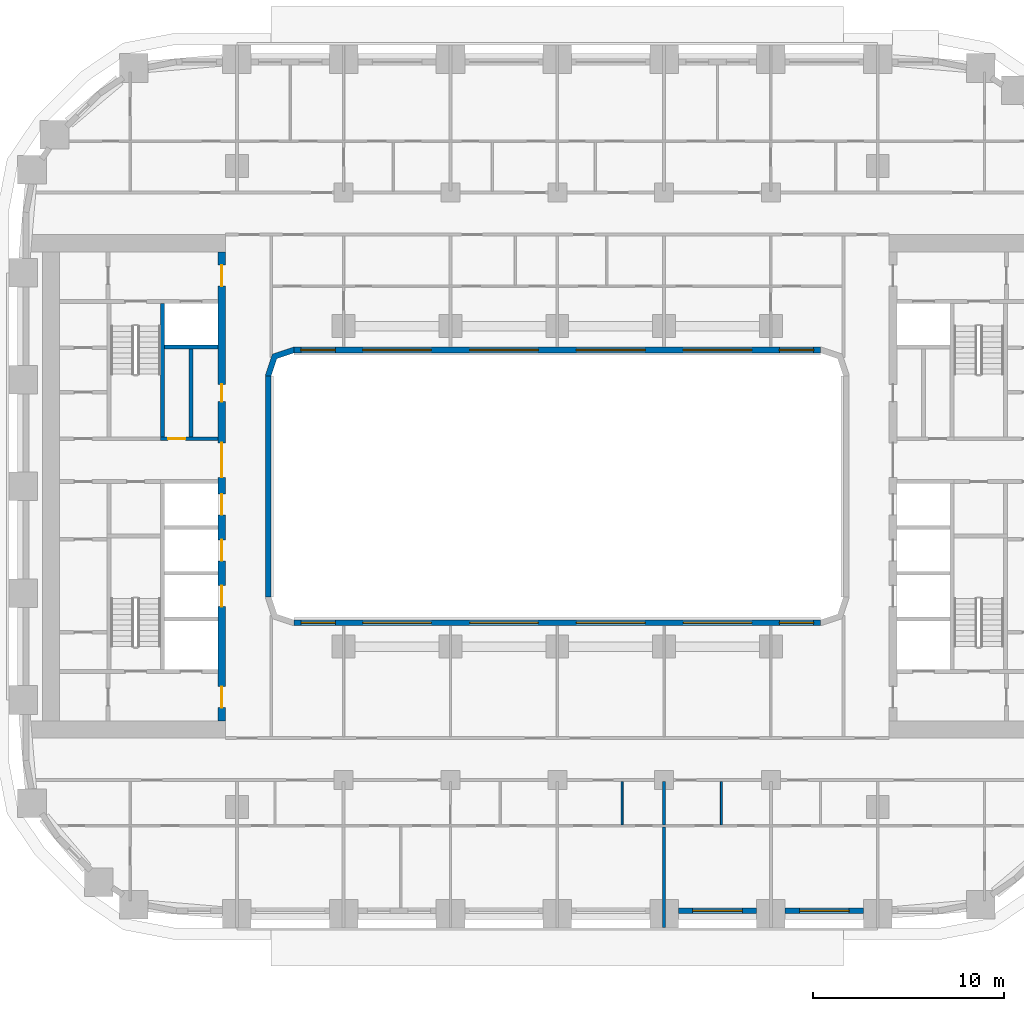
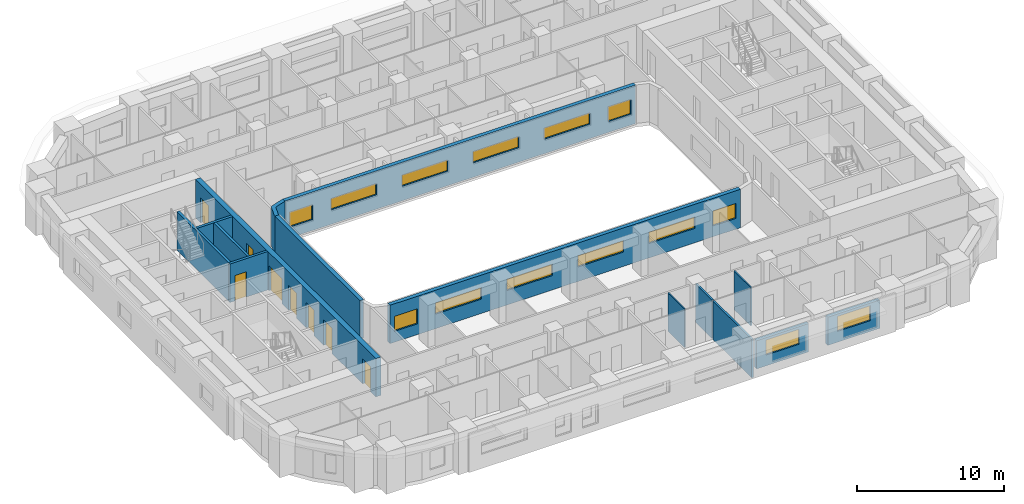
# One storey, part 5 of 21: 15 walls, 14 windows, 8 doors, 22 openings.
"""IFC4 building model written with IfcOpenShell, lengths in metres."""

from ifc_helpers import new_model, si_unit, direction, frame, frame_2d, origin, place, context, subcontext, project, spatial, polyline, rectangle, outline, extrude, material, layer, layer_set, type_object, element, fill, save


model = new_model("IFC4")

# Units and contexts
model_context = context("Model", 3, precision=1e-05, world=origin(), true_north=direction((0.0, 1.0)))
body_context = subcontext(model_context, "Body", "Model", "MODEL_VIEW")
ifc_project = project(units=[si_unit("LENGTHUNIT", "METRE"), si_unit("AREAUNIT", "SQUARE_METRE"), si_unit("VOLUMEUNIT", "CUBIC_METRE"), si_unit("PLANEANGLEUNIT", "RADIAN"), si_unit("MASSUNIT", "GRAM", prefix="KILO")], contexts=[model_context])

# Site, building, storey
site_placement = place(None, origin())
site = spatial("IfcSite", under=ifc_project, at=site_placement, CompositionType="ELEMENT")
building_placement = place(site_placement, origin())
building = spatial("IfcBuilding", under=site, at=building_placement, Name="Kiln Ring Residences", CompositionType="ELEMENT")
storey_placement = place(building_placement, frame((0.0, 0.0, 48.0)))
storey = spatial("IfcBuildingStorey", under=building, at=storey_placement, Name="L11", CompositionType="ELEMENT", Elevation=48.0)

# Wall
ifc_material_1 = material(Name="Gypsum board on steel studs", Category="steel")
ifc_layer_1 = layer(ifc_material_1, 0.199951171875)
ifc_layer_set_1 = layer_set([ifc_layer_1], Name="CORE-PARTITION-200")
wall_type_1 = type_object("IfcWallType", Name="CORE-PARTITION-200", PredefinedType="PARTITIONING", material=ifc_layer_set_1)
wall_1_placement = place(storey_placement, frame((-19.199951171875, 2.60009765625, 0.0), z_axis=(0.0, 0.0, 1.0), x_axis=(0.0, 1.0, 0.0)))
element("IfcWall", 1, at=wall_1_placement, inside=storey, type_object=wall_type_1, Name="Core partition west L11 3", PredefinedType="PARTITIONING", context=body_context, shape_type="SweptSolid", body=[
    extrude(rectangle(XDim=4.599853515625, YDim=0.199951171875, at=frame_2d((2.2998046875, 0.0))), origin(), (0.0, 0.0, 1.0), 3.199951171875),
])

# Wall, opening, door
ifc_material_2 = material(Name="Gypsum shaft wall system")
ifc_layer_2 = layer(ifc_material_2, 0.199951171875)
ifc_layer_set_2 = layer_set([ifc_layer_2], Name="CORE-SHAFT-WALL-200")
wall_type_2 = type_object("IfcWallType", Name="CORE-SHAFT-WALL-200", PredefinedType="PARTITIONING", material=ifc_layer_set_2)
wall_2_placement = place(storey_placement, frame((-17.800048828125, 2.5, 0.0), z_axis=(0.0, 0.0, 1.0), x_axis=(-1.0, 0.0, 0.0)))
wall_2 = element("IfcWall", 2, at=wall_2_placement, inside=storey, type_object=wall_type_2, Name="Core partition west L11 14", PredefinedType="PARTITIONING", context=body_context, shape_type="SweptSolid", body=[
    extrude(rectangle(XDim=3.0, YDim=0.199951171875, at=frame_2d((1.5, 0.0))), origin(), (0.0, 0.0, 1.0), 3.199951171875),
])
opening_1_placement = place(wall_2_placement, frame((1.699951171875, 0.0, 0.0)))
opening_1 = element("IfcOpeningElement", 3, at=opening_1_placement, cuts=wall_2, Name="Opening L11-CW06", PredefinedType="OPENING", context=body_context, shape_type="SweptSolid", body=[
    extrude(rectangle(XDim=0.89990234375, YDim=2.10009765625, at=frame_2d((0.449951171875, 1.050048828125))), frame((0.0, 0.10986328125, 0.0), z_axis=(0.0, -1.0, 0.0), x_axis=(1.0, 0.0, 0.0)), (0.0, 0.0, 1.0), 0.219970703125),
])
ifc_material_3 = material(Name="Steel door leaf", Category="steel")
door_type_1 = type_object("IfcDoorType", Name="CORE-DOOR-ROOM", OperationType="SINGLE_SWING_LEFT", PredefinedType="DOOR", material=ifc_material_3)
door_1_placement = place(opening_1_placement, origin())
door_1 = element("IfcDoor", 4, at=door_1_placement, inside=storey, type_object=door_type_1, Name="Cleaner's store L11-CW06", OperationType="SINGLE_SWING_LEFT", OverallHeight=2.10009765625, OverallWidth=0.89990234375, PredefinedType="DOOR", context=body_context, shape_type="SweptSolid", body=[
    extrude(rectangle(XDim=0.89990234375, YDim=2.10009765625, at=frame_2d((0.449951171875, 1.050048828125))), frame((0.0, 0.02490234375, 0.0), z_axis=(0.0, -1.0, 0.0), x_axis=(1.0, 0.0, 0.0)), (0.0, 0.0, 1.0), 0.050048828125),
])
fill(opening_1, door_1)

# Walls
wall_3_placement = place(storey_placement, frame((-17.800048828125, 7.300048828125, 0.0), z_axis=(0.0, 0.0, 1.0), x_axis=(-1.0, 0.0, 0.0)))
element("IfcWall", 5, at=wall_3_placement, inside=storey, type_object=wall_type_2, Name="Core partition west L11 15", PredefinedType="PARTITIONING", context=body_context, shape_type="SweptSolid", body=[
    extrude(rectangle(XDim=2.800048828125, YDim=0.199951171875, at=frame_2d((1.39990234375, 0.0))), origin(), (0.0, 0.0, 1.0), 3.199951171875),
])
ifc_material_4 = material(Name="Concrete C40/50", Category="concrete")
ifc_layer_3 = layer(ifc_material_4, 0.199951171875)
ifc_layer_set_3 = layer_set([ifc_layer_3], Name="CORE-WALL-RC200")
wall_type_3 = type_object("IfcWallType", Name="CORE-WALL-RC200", PredefinedType="SHEAR", material=ifc_layer_set_3)
wall_4_placement = place(storey_placement, frame((-20.699951171875, 2.60009765625, 0.0), z_axis=(0.0, 0.0, 1.0), x_axis=(0.0, 1.0, 0.0)))
element("IfcWall", 6, at=wall_4_placement, inside=storey, type_object=wall_type_3, Name="Core wall west L11 1", PredefinedType="SHEAR", context=body_context, shape_type="SweptSolid", body=[
    extrude(rectangle(XDim=7.0, YDim=0.199951171875, at=frame_2d((3.5, 0.0))), origin(), (0.0, 0.0, 1.0), 3.199951171875),
])

# Wall, openings, doors
ifc_material_5 = material(Name="Concrete C60/75", Category="concrete")
ifc_layer_4 = layer(ifc_material_5, 0.39990234375)
ifc_layer_set_4 = layer_set([ifc_layer_4], Name="CORE-WALL-RC400")
wall_type_4 = type_object("IfcWallType", Name="CORE-WALL-RC400", PredefinedType="SHEAR", material=ifc_layer_set_4)
wall_5_placement = place(storey_placement, frame((-17.60009765625, -12.300048828125, 0.0), z_axis=(0.0, 0.0, 1.0), x_axis=(0.0, 1.0, 0.0)))
wall_5 = element("IfcWall", 7, at=wall_5_placement, inside=storey, type_object=wall_type_4, Name="Core wall west L11 6", PredefinedType="SHEAR", context=body_context, shape_type="SweptSolid", body=[
    extrude(rectangle(XDim=24.60009765625, YDim=0.39990234375, at=frame_2d((12.300048828125, 0.0))), origin(), (0.0, 0.0, 1.0), 3.199951171875),
])
opening_2_placement = place(wall_5_placement, frame((6.0, 0.0, 0.0)))
opening_2 = element("IfcOpeningElement", 8, at=opening_2_placement, cuts=wall_5, Name="Opening L11-CW02", PredefinedType="OPENING", context=body_context, shape_type="SweptSolid", body=[
    extrude(rectangle(XDim=1.10009765625, YDim=2.10009765625, at=frame_2d((0.550048828125, 1.050048828125))), frame((0.0, 0.2099609375, 0.0), z_axis=(0.0, -1.0, 0.0), x_axis=(1.0, 0.0, 0.0)), (0.0, 0.0, 1.0), 0.419921875),
])
opening_3_placement = place(wall_5_placement, frame((8.39990234375, 0.0, 0.0)))
opening_3 = element("IfcOpeningElement", 9, at=opening_3_placement, cuts=wall_5, Name="Opening L11-CW03", PredefinedType="OPENING", context=body_context, shape_type="SweptSolid", body=[
    extrude(rectangle(XDim=1.10009765625, YDim=2.10009765625, at=frame_2d((0.550048828125, 1.050048828125))), frame((0.0, 0.2099609375, 0.0), z_axis=(0.0, -1.0, 0.0), x_axis=(1.0, 0.0, 0.0)), (0.0, 0.0, 1.0), 0.419921875),
])
opening_4_placement = place(wall_5_placement, frame((10.800048828125, 0.0, 0.0)))
opening_4 = element("IfcOpeningElement", 10, at=opening_4_placement, cuts=wall_5, Name="Opening L11-CW04", PredefinedType="OPENING", context=body_context, shape_type="SweptSolid", body=[
    extrude(rectangle(XDim=1.10009765625, YDim=2.10009765625, at=frame_2d((0.550048828125, 1.050048828125))), frame((0.0, 0.2099609375, 0.0), z_axis=(0.0, -1.0, 0.0), x_axis=(1.0, 0.0, 0.0)), (0.0, 0.0, 1.0), 0.419921875),
])
opening_5_placement = place(wall_5_placement, frame((16.75, 0.0, 0.0)))
opening_5 = element("IfcOpeningElement", 11, at=opening_5_placement, cuts=wall_5, Name="Opening L11-CW05", PredefinedType="OPENING", context=body_context, shape_type="SweptSolid", body=[
    extrude(rectangle(XDim=0.89990234375, YDim=2.10009765625, at=frame_2d((0.449951171875, 1.050048828125))), frame((0.0, 0.2099609375, 0.0), z_axis=(0.0, -1.0, 0.0), x_axis=(1.0, 0.0, 0.0)), (0.0, 0.0, 1.0), 0.419921875),
])
opening_6_placement = place(wall_5_placement, frame((22.800048828125, 0.0, 0.0)))
opening_6 = element("IfcOpeningElement", 12, at=opening_6_placement, cuts=wall_5, Name="Opening L11-CW08", PredefinedType="OPENING", context=body_context, shape_type="SweptSolid", body=[
    extrude(rectangle(XDim=1.10009765625, YDim=2.10009765625, at=frame_2d((0.550048828125, 1.050048828125))), frame((0.0, 0.2099609375, 0.0), z_axis=(0.0, -1.0, 0.0), x_axis=(1.0, 0.0, 0.0)), (0.0, 0.0, 1.0), 0.419921875),
])
opening_7_placement = place(wall_5_placement, frame((0.699951171875, 0.0, 0.0)))
opening_7 = element("IfcOpeningElement", 13, at=opening_7_placement, cuts=wall_5, Name="Opening L11-CW09", PredefinedType="OPENING", context=body_context, shape_type="SweptSolid", body=[
    extrude(rectangle(XDim=1.10009765625, YDim=2.10009765625, at=frame_2d((0.550048828125, 1.050048828125))), frame((0.0, 0.2099609375, 0.0), z_axis=(0.0, -1.0, 0.0), x_axis=(1.0, 0.0, 0.0)), (0.0, 0.0, 1.0), 0.419921875),
])
opening_8_placement = place(wall_5_placement, frame((12.77490234375, 0.0, 0.0)))
opening_8 = element("IfcOpeningElement", 14, at=opening_8_placement, cuts=wall_5, Name="Opening L11-CW14", PredefinedType="OPENING", context=body_context, shape_type="SweptSolid", body=[
    extrude(rectangle(XDim=1.800048828125, YDim=2.10009765625, at=frame_2d((0.89990234375, 1.050048828125))), frame((0.0, 0.2099609375, 0.0), z_axis=(0.0, -1.0, 0.0), x_axis=(1.0, 0.0, 0.0)), (0.0, 0.0, 1.0), 0.419921875),
])
ifc_material_6 = material(Name="Steel door leaf", Category="steel")
door_type_2 = type_object("IfcDoorType", Name="CORE-DOOR-LD", OperationType="DOUBLE_DOOR_SLIDING", PredefinedType="DOOR", material=ifc_material_6)
door_2_placement = place(opening_2_placement, origin())
door_2 = element("IfcDoor", 15, at=door_2_placement, inside=storey, type_object=door_type_2, Name="LD W-L1 L11-CW02", OperationType="DOUBLE_DOOR_SLIDING", OverallHeight=2.10009765625, OverallWidth=1.10009765625, PredefinedType="DOOR", context=body_context, shape_type="SweptSolid", body=[
    extrude(rectangle(XDim=1.10009765625, YDim=2.10009765625, at=frame_2d((0.550048828125, 1.050048828125))), frame((0.0, 0.02490234375, 0.0), z_axis=(0.0, -1.0, 0.0), x_axis=(1.0, 0.0, 0.0)), (0.0, 0.0, 1.0), 0.050048828125),
])
fill(opening_2, door_2)
door_3_placement = place(opening_3_placement, origin())
door_3 = element("IfcDoor", 16, at=door_3_placement, inside=storey, type_object=door_type_2, Name="LD W-L2 L11-CW03", OperationType="DOUBLE_DOOR_SLIDING", OverallHeight=2.10009765625, OverallWidth=1.10009765625, PredefinedType="DOOR", context=body_context, shape_type="SweptSolid", body=[
    extrude(rectangle(XDim=1.10009765625, YDim=2.10009765625, at=frame_2d((0.550048828125, 1.050048828125))), frame((0.0, 0.02490234375, 0.0), z_axis=(0.0, -1.0, 0.0), x_axis=(1.0, 0.0, 0.0)), (0.0, 0.0, 1.0), 0.050048828125),
])
fill(opening_3, door_3)
door_4_placement = place(opening_4_placement, origin())
door_4 = element("IfcDoor", 17, at=door_4_placement, inside=storey, type_object=door_type_2, Name="LD W-L3 L11-CW04", OperationType="DOUBLE_DOOR_SLIDING", OverallHeight=2.10009765625, OverallWidth=1.10009765625, PredefinedType="DOOR", context=body_context, shape_type="SweptSolid", body=[
    extrude(rectangle(XDim=1.10009765625, YDim=2.10009765625, at=frame_2d((0.550048828125, 1.050048828125))), frame((0.0, 0.02490234375, 0.0), z_axis=(0.0, -1.0, 0.0), x_axis=(1.0, 0.0, 0.0)), (0.0, 0.0, 1.0), 0.050048828125),
])
fill(opening_4, door_4)
ifc_material_7 = material(Name="Steel door leaf", Category="steel")
door_type_3 = type_object("IfcDoorType", Name="CORE-DOOR-LOBBY", OperationType="SINGLE_SWING_LEFT", PredefinedType="DOOR", material=ifc_material_7)
door_5_placement = place(opening_6_placement, origin())
door_5 = element("IfcDoor", 18, at=door_5_placement, inside=storey, type_object=door_type_3, Name="FFL L11-CW08", OperationType="SINGLE_SWING_LEFT", OverallHeight=2.10009765625, OverallWidth=1.10009765625, PredefinedType="DOOR", context=body_context, shape_type="SweptSolid", body=[
    extrude(rectangle(XDim=1.10009765625, YDim=2.10009765625, at=frame_2d((0.550048828125, 1.050048828125))), frame((0.0, 0.02490234375, 0.0), z_axis=(0.0, -1.0, 0.0), x_axis=(1.0, 0.0, 0.0)), (0.0, 0.0, 1.0), 0.050048828125),
])
fill(opening_6, door_5)
door_6_placement = place(opening_7_placement, origin())
door_6 = element("IfcDoor", 19, at=door_6_placement, inside=storey, type_object=door_type_3, Name="SVL L11-CW09", OperationType="SINGLE_SWING_RIGHT", OverallHeight=2.10009765625, OverallWidth=1.10009765625, PredefinedType="DOOR", context=body_context, shape_type="SweptSolid", body=[
    extrude(rectangle(XDim=1.10009765625, YDim=2.10009765625, at=frame_2d((0.550048828125, 1.050048828125))), frame((0.0, 0.02490234375, 0.0), z_axis=(0.0, -1.0, 0.0), x_axis=(1.0, 0.0, 0.0)), (0.0, 0.0, 1.0), 0.050048828125),
])
fill(opening_7, door_6)
ifc_material_8 = material(Name="Steel door leaf", Category="steel")
door_type_4 = type_object("IfcDoorType", Name="CORE-DOOR-PASS", OperationType="DOUBLE_DOOR_SINGLE_SWING", PredefinedType="DOOR", material=ifc_material_8)
door_7_placement = place(opening_8_placement, origin())
door_7 = element("IfcDoor", 20, at=door_7_placement, inside=storey, type_object=door_type_4, Name="Core passage L11-CW14", OperationType="DOUBLE_DOOR_SINGLE_SWING", OverallHeight=2.10009765625, OverallWidth=1.800048828125, PredefinedType="DOOR", context=body_context, shape_type="SweptSolid", body=[
    extrude(rectangle(XDim=1.800048828125, YDim=2.10009765625, at=frame_2d((0.89990234375, 1.050048828125))), frame((0.0, 0.02490234375, 0.0), z_axis=(0.0, -1.0, 0.0), x_axis=(1.0, 0.0, 0.0)), (0.0, 0.0, 1.0), 0.050048828125),
])
fill(opening_8, door_7)
door_8_placement = place(opening_5_placement, origin())
door_8 = element("IfcDoor", 21, at=door_8_placement, inside=storey, type_object=door_type_1, Name="Storage room L11-CW05", OperationType="SINGLE_SWING_LEFT", OverallHeight=2.10009765625, OverallWidth=0.89990234375, PredefinedType="DOOR", context=body_context, shape_type="SweptSolid", body=[
    extrude(rectangle(XDim=0.89990234375, YDim=2.10009765625, at=frame_2d((0.449951171875, 1.050048828125))), frame((0.0, 0.02490234375, 0.0), z_axis=(0.0, -1.0, 0.0), x_axis=(1.0, 0.0, 0.0)), (0.0, 0.0, 1.0), 0.050048828125),
])
fill(opening_5, door_8)

# Wall, opening, window
ifc_material_9 = material(Name="Brick masonry, dark clay brick", Category="masonry")
ifc_layer_5 = layer(ifc_material_9, 0.300048828125)
ifc_layer_set_5 = layer_set([ifc_layer_5], Name="EW-300 BRICK WALL")
wall_type_5 = type_object("IfcWallType", Name="EW-300 BRICK WALL", PredefinedType="SOLIDWALL", material=ifc_layer_set_5)
wall_6_placement = place(storey_placement, frame((6.35009765625, -22.25, 0.0), z_axis=(0.0, 0.0, 1.0), x_axis=(1.0, 0.0, 0.0)))
wall_6 = element("IfcWall", 22, at=wall_6_placement, inside=storey, type_object=wall_type_5, Name="Facade wall L11 9", PredefinedType="SOLIDWALL", context=body_context, shape_type="SweptSolid", body=[
    extrude(rectangle(XDim=4.099853515625, YDim=0.300048828125, at=frame_2d((2.0498046875, 0.0))), origin(), (0.0, 0.0, 1.0), 2.35009765625),
])
opening_9_placement = place(wall_6_placement, frame((0.75, 0.0, 0.89990234375)))
opening_9 = element("IfcOpeningElement", 23, at=opening_9_placement, cuts=wall_6, Name="Opening W3", PredefinedType="OPENING", context=body_context, shape_type="SweptSolid", body=[
    extrude(rectangle(XDim=2.60009765625, YDim=1.25, at=frame_2d((1.300048828125, 0.625))), frame((0.0, 0.159912109375, 0.0), z_axis=(0.0, -1.0, 0.0), x_axis=(1.0, 0.0, 0.0)), (0.0, 0.0, 1.0), 0.320068359375),
])
ifc_material_10 = material(Name="Aluminium frame with double glazing", Category="aluminium")
window_type_1 = type_object("IfcWindowType", Name="WINDOW 2600 x 1250", PartitioningType="SINGLE_PANEL", PredefinedType="WINDOW", material=ifc_material_10)
window_1_placement = place(opening_9_placement, origin())
window_1 = element("IfcWindow", 24, at=window_1_placement, inside=storey, type_object=window_type_1, Name="Window L11 8", OverallHeight=1.25, OverallWidth=2.60009765625, PartitioningType="SINGLE_PANEL", PredefinedType="WINDOW", context=body_context, shape_type="SweptSolid", body=[
    extrude(rectangle(XDim=2.60009765625, YDim=1.25, at=frame_2d((1.300048828125, 0.625))), frame((0.0, 0.030029296875, 0.0), z_axis=(0.0, -1.0, 0.0), x_axis=(1.0, 0.0, 0.0)), (0.0, 0.0, 1.0), 0.06005859375),
])
fill(opening_9, window_1)

wall_7_placement = place(storey_placement, frame((11.949951171875, -22.25, 0.0), z_axis=(0.0, 0.0, 1.0), x_axis=(1.0, 0.0, 0.0)))
wall_7 = element("IfcWall", 25, at=wall_7_placement, inside=storey, type_object=wall_type_5, Name="Facade wall L11 10", PredefinedType="SOLIDWALL", context=body_context, shape_type="SweptSolid", body=[
    extrude(rectangle(XDim=4.10009765625, YDim=0.300048828125, at=frame_2d((2.050048828125, 0.0))), origin(), (0.0, 0.0, 1.0), 2.35009765625),
])
opening_10_placement = place(wall_7_placement, frame((0.75, 0.0, 0.89990234375)))
opening_10 = element("IfcOpeningElement", 26, at=opening_10_placement, cuts=wall_7, Name="Opening W3", PredefinedType="OPENING", context=body_context, shape_type="SweptSolid", body=[
    extrude(rectangle(XDim=2.60009765625, YDim=1.25, at=frame_2d((1.300048828125, 0.625))), frame((0.0, 0.159912109375, 0.0), z_axis=(0.0, -1.0, 0.0), x_axis=(1.0, 0.0, 0.0)), (0.0, 0.0, 1.0), 0.320068359375),
])
window_2_placement = place(opening_10_placement, origin())
window_2 = element("IfcWindow", 27, at=window_2_placement, inside=storey, type_object=window_type_1, Name="Window L11 9", OverallHeight=1.25, OverallWidth=2.60009765625, PartitioningType="SINGLE_PANEL", PredefinedType="WINDOW", context=body_context, shape_type="SweptSolid", body=[
    extrude(rectangle(XDim=2.60009765625, YDim=1.25, at=frame_2d((1.300048828125, 0.625))), frame((0.0, 0.030029296875, 0.0), z_axis=(0.0, -1.0, 0.0), x_axis=(1.0, 0.0, 0.0)), (0.0, 0.0, 1.0), 0.06005859375),
])
fill(opening_10, window_2)

# Wall
wall_8_placement = place(storey_placement, frame((-15.14990234375, -5.800048828125, 0.0), z_axis=(0.0, 0.0, 1.0), x_axis=(0.0, 1.0, 0.0)))
element("IfcWall", 28, at=wall_8_placement, inside=storey, type_object=wall_type_5, Name="Facade wall L11 49", PredefinedType="SOLIDWALL", context=body_context, shape_type="SweptSolid", body=[
    extrude(rectangle(XDim=11.60009765625, YDim=0.300048828125, at=frame_2d((5.800048828125, 0.0))), origin(), (0.0, 0.0, 1.0), 3.199951171875),
])

# Wall, openings, windows
wall_9_placement = place(storey_placement, frame((-13.800048828125, 7.14990234375, 0.0), z_axis=(0.0, 0.0, 1.0), x_axis=(1.0, 0.0, 0.0)))
wall_9 = element("IfcWall", 29, at=wall_9_placement, inside=storey, type_object=wall_type_5, Name="Facade wall L11 50", PredefinedType="SOLIDWALL", context=body_context, shape_type="SweptSolid", body=[
    extrude(rectangle(XDim=27.60009765625, YDim=0.300048828125, at=frame_2d((13.800048828125, 0.0))), origin(), (0.0, 0.0, 1.0), 3.199951171875),
])
opening_11_placement = place(wall_9_placement, frame((0.362548828125, 0.0, 0.89990234375)))
opening_11 = element("IfcOpeningElement", 30, at=opening_11_placement, cuts=wall_9, Name="Opening W2", PredefinedType="OPENING", context=body_context, shape_type="SweptSolid", body=[
    extrude(rectangle(XDim=1.800048828125, YDim=1.25, at=frame_2d((0.89990234375, 0.625))), frame((0.0, 0.159912109375, 0.0), z_axis=(0.0, -1.0, 0.0), x_axis=(1.0, 0.0, 0.0)), (0.0, 0.0, 1.0), 0.320068359375),
])
opening_12_placement = place(wall_9_placement, frame((3.60009765625, 0.0, 1.199951171875)))
opening_12 = element("IfcOpeningElement", 31, at=opening_12_placement, cuts=wall_9, Name="Opening W4", PredefinedType="OPENING", context=body_context, shape_type="SweptSolid", body=[
    extrude(rectangle(XDim=3.60009765625, YDim=0.949951171875, at=frame_2d((1.800048828125, 0.47509765625))), frame((0.0, 0.159912109375, 0.0), z_axis=(0.0, -1.0, 0.0), x_axis=(1.0, 0.0, 0.0)), (0.0, 0.0, 1.0), 0.320068359375),
])
opening_13_placement = place(wall_9_placement, frame((9.199951171875, 0.0, 1.199951171875)))
opening_13 = element("IfcOpeningElement", 32, at=opening_13_placement, cuts=wall_9, Name="Opening W4", PredefinedType="OPENING", context=body_context, shape_type="SweptSolid", body=[
    extrude(rectangle(XDim=3.60009765625, YDim=0.949951171875, at=frame_2d((1.800048828125, 0.47509765625))), frame((0.0, 0.159912109375, 0.0), z_axis=(0.0, -1.0, 0.0), x_axis=(1.0, 0.0, 0.0)), (0.0, 0.0, 1.0), 0.320068359375),
])
opening_14_placement = place(wall_9_placement, frame((14.800048828125, 0.0, 1.199951171875)))
opening_14 = element("IfcOpeningElement", 33, at=opening_14_placement, cuts=wall_9, Name="Opening W4", PredefinedType="OPENING", context=body_context, shape_type="SweptSolid", body=[
    extrude(rectangle(XDim=3.60009765625, YDim=0.949951171875, at=frame_2d((1.800048828125, 0.47509765625))), frame((0.0, 0.159912109375, 0.0), z_axis=(0.0, -1.0, 0.0), x_axis=(1.0, 0.0, 0.0)), (0.0, 0.0, 1.0), 0.320068359375),
])
opening_15_placement = place(wall_9_placement, frame((20.39990234375, 0.0, 1.199951171875)))
opening_15 = element("IfcOpeningElement", 34, at=opening_15_placement, cuts=wall_9, Name="Opening W4", PredefinedType="OPENING", context=body_context, shape_type="SweptSolid", body=[
    extrude(rectangle(XDim=3.60009765625, YDim=0.949951171875, at=frame_2d((1.800048828125, 0.47509765625))), frame((0.0, 0.159912109375, 0.0), z_axis=(0.0, -1.0, 0.0), x_axis=(1.0, 0.0, 0.0)), (0.0, 0.0, 1.0), 0.320068359375),
])
opening_16_placement = place(wall_9_placement, frame((25.4375, 0.0, 0.89990234375)))
opening_16 = element("IfcOpeningElement", 35, at=opening_16_placement, cuts=wall_9, Name="Opening W2", PredefinedType="OPENING", context=body_context, shape_type="SweptSolid", body=[
    extrude(rectangle(XDim=1.800048828125, YDim=1.25, at=frame_2d((0.89990234375, 0.625))), frame((0.0, 0.159912109375, 0.0), z_axis=(0.0, -1.0, 0.0), x_axis=(1.0, 0.0, 0.0)), (0.0, 0.0, 1.0), 0.320068359375),
])
ifc_material_11 = material(Name="Aluminium frame with double glazing", Category="aluminium")
window_type_2 = type_object("IfcWindowType", Name="WINDOW 1800 x 1250", PartitioningType="SINGLE_PANEL", PredefinedType="WINDOW", material=ifc_material_11)
window_3_placement = place(opening_11_placement, origin())
window_3 = element("IfcWindow", 36, at=window_3_placement, inside=storey, type_object=window_type_2, Name="Window L11 24", OverallHeight=1.25, OverallWidth=1.800048828125, PartitioningType="SINGLE_PANEL", PredefinedType="WINDOW", context=body_context, shape_type="SweptSolid", body=[
    extrude(rectangle(XDim=1.800048828125, YDim=1.25, at=frame_2d((0.89990234375, 0.625))), frame((0.0, 0.030029296875, 0.0), z_axis=(0.0, -1.0, 0.0), x_axis=(1.0, 0.0, 0.0)), (0.0, 0.0, 1.0), 0.06005859375),
])
fill(opening_11, window_3)
window_4_placement = place(opening_16_placement, origin())
window_4 = element("IfcWindow", 37, at=window_4_placement, inside=storey, type_object=window_type_2, Name="Window L11 29", OverallHeight=1.25, OverallWidth=1.800048828125, PartitioningType="SINGLE_PANEL", PredefinedType="WINDOW", context=body_context, shape_type="SweptSolid", body=[
    extrude(rectangle(XDim=1.800048828125, YDim=1.25, at=frame_2d((0.89990234375, 0.625))), frame((0.0, 0.030029296875, 0.0), z_axis=(0.0, -1.0, 0.0), x_axis=(1.0, 0.0, 0.0)), (0.0, 0.0, 1.0), 0.06005859375),
])
fill(opening_16, window_4)
ifc_material_12 = material(Name="Aluminium frame with double glazing", Category="aluminium")
window_type_3 = type_object("IfcWindowType", Name="WINDOW 3600 x 950", PartitioningType="SINGLE_PANEL", PredefinedType="WINDOW", material=ifc_material_12)
window_5_placement = place(opening_12_placement, origin())
window_5 = element("IfcWindow", 38, at=window_5_placement, inside=storey, type_object=window_type_3, Name="Window L11 25", OverallHeight=0.949951171875, OverallWidth=3.60009765625, PartitioningType="SINGLE_PANEL", PredefinedType="WINDOW", context=body_context, shape_type="SweptSolid", body=[
    extrude(rectangle(XDim=3.60009765625, YDim=0.949951171875, at=frame_2d((1.800048828125, 0.47509765625))), frame((0.0, 0.030029296875, 0.0), z_axis=(0.0, -1.0, 0.0), x_axis=(1.0, 0.0, 0.0)), (0.0, 0.0, 1.0), 0.06005859375),
])
fill(opening_12, window_5)
window_6_placement = place(opening_13_placement, origin())
window_6 = element("IfcWindow", 39, at=window_6_placement, inside=storey, type_object=window_type_3, Name="Window L11 26", OverallHeight=0.949951171875, OverallWidth=3.60009765625, PartitioningType="SINGLE_PANEL", PredefinedType="WINDOW", context=body_context, shape_type="SweptSolid", body=[
    extrude(rectangle(XDim=3.60009765625, YDim=0.949951171875, at=frame_2d((1.800048828125, 0.47509765625))), frame((0.0, 0.030029296875, 0.0), z_axis=(0.0, -1.0, 0.0), x_axis=(1.0, 0.0, 0.0)), (0.0, 0.0, 1.0), 0.06005859375),
])
fill(opening_13, window_6)
window_7_placement = place(opening_14_placement, origin())
window_7 = element("IfcWindow", 40, at=window_7_placement, inside=storey, type_object=window_type_3, Name="Window L11 27", OverallHeight=0.949951171875, OverallWidth=3.60009765625, PartitioningType="SINGLE_PANEL", PredefinedType="WINDOW", context=body_context, shape_type="SweptSolid", body=[
    extrude(rectangle(XDim=3.60009765625, YDim=0.949951171875, at=frame_2d((1.800048828125, 0.47509765625))), frame((0.0, 0.030029296875, 0.0), z_axis=(0.0, -1.0, 0.0), x_axis=(1.0, 0.0, 0.0)), (0.0, 0.0, 1.0), 0.06005859375),
])
fill(opening_14, window_7)
window_8_placement = place(opening_15_placement, origin())
window_8 = element("IfcWindow", 41, at=window_8_placement, inside=storey, type_object=window_type_3, Name="Window L11 28", OverallHeight=0.949951171875, OverallWidth=3.60009765625, PartitioningType="SINGLE_PANEL", PredefinedType="WINDOW", context=body_context, shape_type="SweptSolid", body=[
    extrude(rectangle(XDim=3.60009765625, YDim=0.949951171875, at=frame_2d((1.800048828125, 0.47509765625))), frame((0.0, 0.030029296875, 0.0), z_axis=(0.0, -1.0, 0.0), x_axis=(1.0, 0.0, 0.0)), (0.0, 0.0, 1.0), 0.06005859375),
])
fill(opening_15, window_8)

wall_10_placement = place(storey_placement, frame((13.800048828125, -7.14990234375, 0.0), z_axis=(0.0, 0.0, 1.0), x_axis=(-1.0, 0.0, 0.0)))
wall_10 = element("IfcWall", 42, at=wall_10_placement, inside=storey, type_object=wall_type_5, Name="Facade wall L11 52", PredefinedType="SOLIDWALL", context=body_context, shape_type="SweptSolid", body=[
    extrude(rectangle(XDim=27.60009765625, YDim=0.300048828125, at=frame_2d((13.800048828125, 0.0))), origin(), (0.0, 0.0, 1.0), 3.199951171875),
])
opening_17_placement = place(wall_10_placement, frame((0.362548828125, 0.0, 0.89990234375)))
opening_17 = element("IfcOpeningElement", 43, at=opening_17_placement, cuts=wall_10, Name="Opening W2", PredefinedType="OPENING", context=body_context, shape_type="SweptSolid", body=[
    extrude(rectangle(XDim=1.800048828125, YDim=1.25, at=frame_2d((0.89990234375, 0.625))), frame((0.0, 0.159912109375, 0.0), z_axis=(0.0, -1.0, 0.0), x_axis=(1.0, 0.0, 0.0)), (0.0, 0.0, 1.0), 0.320068359375),
])
opening_18_placement = place(wall_10_placement, frame((3.60009765625, 0.0, 1.199951171875)))
opening_18 = element("IfcOpeningElement", 44, at=opening_18_placement, cuts=wall_10, Name="Opening W4", PredefinedType="OPENING", context=body_context, shape_type="SweptSolid", body=[
    extrude(rectangle(XDim=3.60009765625, YDim=0.949951171875, at=frame_2d((1.800048828125, 0.47509765625))), frame((0.0, 0.159912109375, 0.0), z_axis=(0.0, -1.0, 0.0), x_axis=(1.0, 0.0, 0.0)), (0.0, 0.0, 1.0), 0.320068359375),
])
opening_19_placement = place(wall_10_placement, frame((9.199951171875, 0.0, 1.199951171875)))
opening_19 = element("IfcOpeningElement", 45, at=opening_19_placement, cuts=wall_10, Name="Opening W4", PredefinedType="OPENING", context=body_context, shape_type="SweptSolid", body=[
    extrude(rectangle(XDim=3.60009765625, YDim=0.949951171875, at=frame_2d((1.800048828125, 0.47509765625))), frame((0.0, 0.159912109375, 0.0), z_axis=(0.0, -1.0, 0.0), x_axis=(1.0, 0.0, 0.0)), (0.0, 0.0, 1.0), 0.320068359375),
])
opening_20_placement = place(wall_10_placement, frame((14.800048828125, 0.0, 1.199951171875)))
opening_20 = element("IfcOpeningElement", 46, at=opening_20_placement, cuts=wall_10, Name="Opening W4", PredefinedType="OPENING", context=body_context, shape_type="SweptSolid", body=[
    extrude(rectangle(XDim=3.60009765625, YDim=0.949951171875, at=frame_2d((1.800048828125, 0.47509765625))), frame((0.0, 0.159912109375, 0.0), z_axis=(0.0, -1.0, 0.0), x_axis=(1.0, 0.0, 0.0)), (0.0, 0.0, 1.0), 0.320068359375),
])
opening_21_placement = place(wall_10_placement, frame((20.39990234375, 0.0, 1.199951171875)))
opening_21 = element("IfcOpeningElement", 47, at=opening_21_placement, cuts=wall_10, Name="Opening W4", PredefinedType="OPENING", context=body_context, shape_type="SweptSolid", body=[
    extrude(rectangle(XDim=3.60009765625, YDim=0.949951171875, at=frame_2d((1.800048828125, 0.47509765625))), frame((0.0, 0.159912109375, 0.0), z_axis=(0.0, -1.0, 0.0), x_axis=(1.0, 0.0, 0.0)), (0.0, 0.0, 1.0), 0.320068359375),
])
opening_22_placement = place(wall_10_placement, frame((25.4375, 0.0, 0.89990234375)))
opening_22 = element("IfcOpeningElement", 48, at=opening_22_placement, cuts=wall_10, Name="Opening W2", PredefinedType="OPENING", context=body_context, shape_type="SweptSolid", body=[
    extrude(rectangle(XDim=1.800048828125, YDim=1.25, at=frame_2d((0.89990234375, 0.625))), frame((0.0, 0.159912109375, 0.0), z_axis=(0.0, -1.0, 0.0), x_axis=(1.0, 0.0, 0.0)), (0.0, 0.0, 1.0), 0.320068359375),
])
window_9_placement = place(opening_17_placement, origin())
window_9 = element("IfcWindow", 49, at=window_9_placement, inside=storey, type_object=window_type_2, Name="Window L11 30", OverallHeight=1.25, OverallWidth=1.800048828125, PartitioningType="SINGLE_PANEL", PredefinedType="WINDOW", context=body_context, shape_type="SweptSolid", body=[
    extrude(rectangle(XDim=1.800048828125, YDim=1.25, at=frame_2d((0.89990234375, 0.625))), frame((0.0, 0.030029296875, 0.0), z_axis=(0.0, -1.0, 0.0), x_axis=(1.0, 0.0, 0.0)), (0.0, 0.0, 1.0), 0.06005859375),
])
fill(opening_17, window_9)
window_10_placement = place(opening_22_placement, origin())
window_10 = element("IfcWindow", 50, at=window_10_placement, inside=storey, type_object=window_type_2, Name="Window L11 35", OverallHeight=1.25, OverallWidth=1.800048828125, PartitioningType="SINGLE_PANEL", PredefinedType="WINDOW", context=body_context, shape_type="SweptSolid", body=[
    extrude(rectangle(XDim=1.800048828125, YDim=1.25, at=frame_2d((0.89990234375, 0.625))), frame((0.0, 0.030029296875, 0.0), z_axis=(0.0, -1.0, 0.0), x_axis=(1.0, 0.0, 0.0)), (0.0, 0.0, 1.0), 0.06005859375),
])
fill(opening_22, window_10)
window_11_placement = place(opening_18_placement, origin())
window_11 = element("IfcWindow", 51, at=window_11_placement, inside=storey, type_object=window_type_3, Name="Window L11 31", OverallHeight=0.949951171875, OverallWidth=3.60009765625, PartitioningType="SINGLE_PANEL", PredefinedType="WINDOW", context=body_context, shape_type="SweptSolid", body=[
    extrude(rectangle(XDim=3.60009765625, YDim=0.949951171875, at=frame_2d((1.800048828125, 0.47509765625))), frame((0.0, 0.030029296875, 0.0), z_axis=(0.0, -1.0, 0.0), x_axis=(1.0, 0.0, 0.0)), (0.0, 0.0, 1.0), 0.06005859375),
])
fill(opening_18, window_11)
window_12_placement = place(opening_19_placement, origin())
window_12 = element("IfcWindow", 52, at=window_12_placement, inside=storey, type_object=window_type_3, Name="Window L11 32", OverallHeight=0.949951171875, OverallWidth=3.60009765625, PartitioningType="SINGLE_PANEL", PredefinedType="WINDOW", context=body_context, shape_type="SweptSolid", body=[
    extrude(rectangle(XDim=3.60009765625, YDim=0.949951171875, at=frame_2d((1.800048828125, 0.47509765625))), frame((0.0, 0.030029296875, 0.0), z_axis=(0.0, -1.0, 0.0), x_axis=(1.0, 0.0, 0.0)), (0.0, 0.0, 1.0), 0.06005859375),
])
fill(opening_19, window_12)
window_13_placement = place(opening_20_placement, origin())
window_13 = element("IfcWindow", 53, at=window_13_placement, inside=storey, type_object=window_type_3, Name="Window L11 33", OverallHeight=0.949951171875, OverallWidth=3.60009765625, PartitioningType="SINGLE_PANEL", PredefinedType="WINDOW", context=body_context, shape_type="SweptSolid", body=[
    extrude(rectangle(XDim=3.60009765625, YDim=0.949951171875, at=frame_2d((1.800048828125, 0.47509765625))), frame((0.0, 0.030029296875, 0.0), z_axis=(0.0, -1.0, 0.0), x_axis=(1.0, 0.0, 0.0)), (0.0, 0.0, 1.0), 0.06005859375),
])
fill(opening_20, window_13)
window_14_placement = place(opening_21_placement, origin())
window_14 = element("IfcWindow", 54, at=window_14_placement, inside=storey, type_object=window_type_3, Name="Window L11 34", OverallHeight=0.949951171875, OverallWidth=3.60009765625, PartitioningType="SINGLE_PANEL", PredefinedType="WINDOW", context=body_context, shape_type="SweptSolid", body=[
    extrude(rectangle(XDim=3.60009765625, YDim=0.949951171875, at=frame_2d((1.800048828125, 0.47509765625))), frame((0.0, 0.030029296875, 0.0), z_axis=(0.0, -1.0, 0.0), x_axis=(1.0, 0.0, 0.0)), (0.0, 0.0, 1.0), 0.06005859375),
])
fill(opening_21, window_14)

# Walls
wall_11_placement = place(storey_placement, origin())
element("IfcWall", 55, at=wall_11_placement, inside=storey, type_object=wall_type_5, Name="Corner wall L11 1", PredefinedType="SOLIDWALL", context=body_context, shape_type="SweptSolid", body=[
    extrude(outline(polyline([(-13.8486328125, 7.300048828125), (-14.937255859375, 6.937255859375), (-15.300048828125, 5.8486328125), (-15.300048828125, 5.800048828125), (-15.0, 5.800048828125), (-14.699951171875, 6.699951171875), (-13.800048828125, 7.0), (-13.800048828125, 7.300048828125), (-13.8486328125, 7.300048828125)])), origin(), (0.0, 0.0, 1.0), 3.199951171875),
])
ifc_material_13 = material(Name="Gypsum board on steel studs", Category="steel")
ifc_layer_6 = layer(ifc_material_13, 0.10009765625)
ifc_layer_set_6 = layer_set([ifc_layer_6], Name="PARTITION-100")
wall_type_6 = type_object("IfcWallType", Name="PARTITION-100", PredefinedType="PARTITIONING", material=ifc_layer_set_6)
for number, where, z_axis, x_axis, name in (
    (56, (3.39990234375, -17.75, 0.0), (0.0, 0.0, 1.0), (0.0, 1.0, 0.0), "Partition 047"),
    (57, (8.60009765625, -17.75, 0.0), (0.0, 0.0, 1.0), (0.0, 1.0, 0.0), "Partition 056"),
):
    element("IfcWall", number, at=place(storey_placement, frame(where, z_axis=z_axis, x_axis=x_axis)), inside=storey, type_object=wall_type_6, Name=name, PredefinedType="PARTITIONING", context=body_context, shape_type="SweptSolid", body=[
        extrude(rectangle(XDim=2.27490234375, YDim=0.10009765625, at=frame_2d((1.137451171875, 0.0))), origin(), (0.0, 0.0, 1.0), 3.199951171875),
    ])
ifc_material_14 = material(Name="Brick masonry partition", Category="masonry")
ifc_layer_7 = layer(ifc_material_14, 0.14990234375)
ifc_layer_set_7 = layer_set([ifc_layer_7], Name="PARTITION-150-ei60")
wall_type_7 = type_object("IfcWallType", Name="PARTITION-150-ei60", PredefinedType="PARTITIONING", material=ifc_layer_set_7)
wall_12_placement = place(storey_placement, frame((5.60009765625, -23.1298828125, 0.0), z_axis=(0.0, 0.0, 1.0), x_axis=(0.0, 1.0, 0.0)))
element("IfcWall", 58, at=wall_12_placement, inside=storey, type_object=wall_type_7, Name="Partition 049", PredefinedType="PARTITIONING", context=body_context, shape_type="SweptSolid", body=[
    extrude(rectangle(XDim=5.27978515625, YDim=0.14990234375, at=frame_2d((2.639892578125, 0.0))), origin(), (0.0, 0.0, 1.0), 3.199951171875),
])
wall_13_placement = place(storey_placement, frame((5.60009765625, -17.75, 0.0), z_axis=(0.0, 0.0, 1.0), x_axis=(0.0, 1.0, 0.0)))
element("IfcWall", 59, at=wall_13_placement, inside=storey, type_object=wall_type_7, Name="Partition 050", PredefinedType="PARTITIONING", context=body_context, shape_type="SweptSolid", body=[
    extrude(rectangle(XDim=2.27490234375, YDim=0.14990234375, at=frame_2d((1.137451171875, 0.0))), origin(), (0.0, 0.0, 1.0), 3.199951171875),
])

save(model, "model.ifc")
